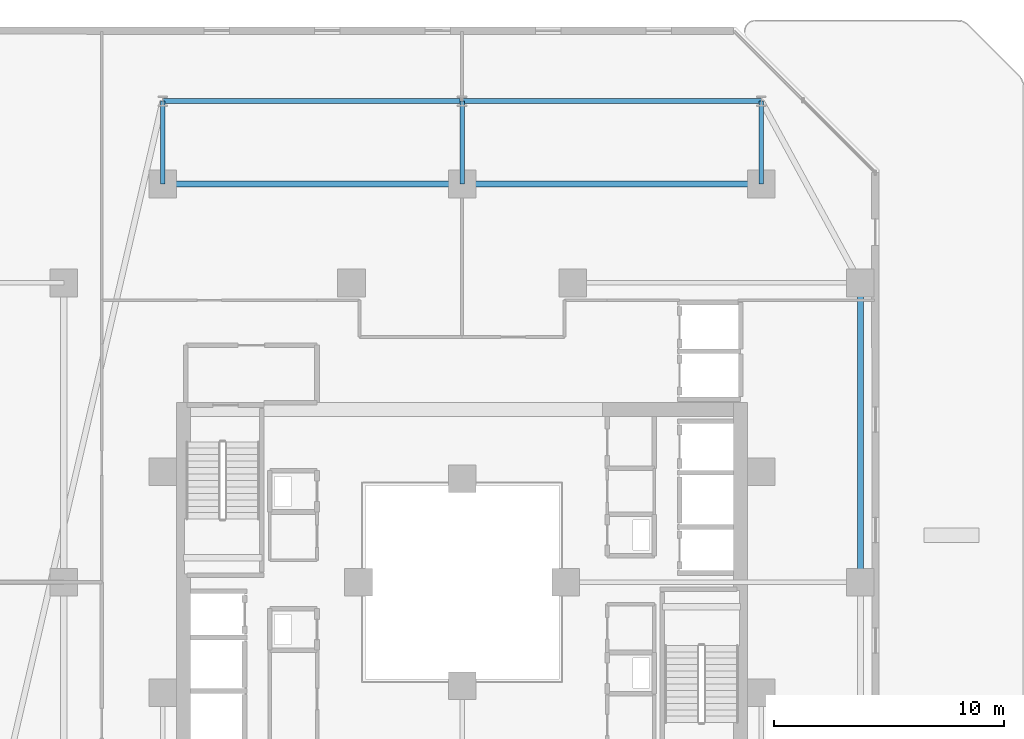
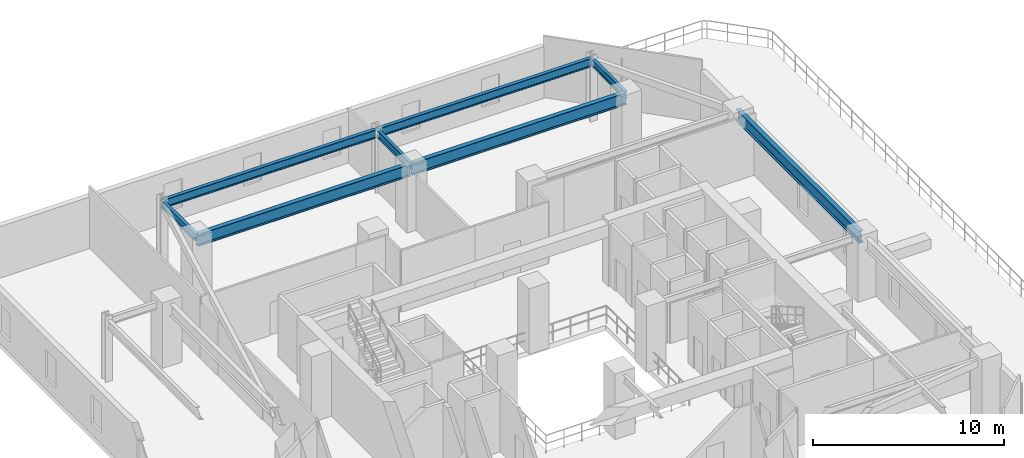
# One storey, part 13 of 30: 8 beams.
"""IFC4 building model written with IfcOpenShell, lengths in metres."""

from ifc_helpers import new_model, si_unit, direction, frame, origin, origin_2d, place, context, subcontext, project, spatial, i_section, extrude, material, material_profile, profile_set, type_object, element, save


model = new_model("IFC4")

# Units and contexts
model_context = context("Model", 3, precision=1e-05, world=origin(), true_north=direction((0.0, 1.0)))
body_context = subcontext(model_context, "Body", "Model", "MODEL_VIEW")
ifc_project = project(units=[si_unit("LENGTHUNIT", "METRE"), si_unit("AREAUNIT", "SQUARE_METRE"), si_unit("VOLUMEUNIT", "CUBIC_METRE"), si_unit("PLANEANGLEUNIT", "RADIAN"), si_unit("MASSUNIT", "GRAM", prefix="KILO")], contexts=[model_context])

# Site, building, storey
site_placement = place(None, origin())
site = spatial("IfcSite", under=ifc_project, at=site_placement, CompositionType="ELEMENT")
building_placement = place(site_placement, origin())
building = spatial("IfcBuilding", under=site, at=building_placement, Name="Thornwick Lancets Civic Towers", CompositionType="ELEMENT")
storey_placement = place(building_placement, frame((0.0, 0.0, 75.89990234375)))
storey = spatial("IfcBuildingStorey", under=building, at=storey_placement, Name="L19", CompositionType="ELEMENT", Elevation=75.89990234375)

# Beams
ifc_material = material(Name="Steel S355JR", Category="steel")
ifc_material_profile_1 = material_profile(ifc_material, i_section(OverallWidth=0.2119140625, OverallDepth=0.54443359375, WebThickness=0.0126953125, FlangeThickness=0.021240234375, FilletRadius=0.0126953125, at=origin_2d()), Name="UKB 533x210x122")
ifc_profile_set_1 = profile_set([ifc_material_profile_1], Name="Steel S355JR")
beam_type_1 = type_object("IfcBeamType", Name="BM_EDGE_533_122", PredefinedType="SPANDREL", material=ifc_profile_set_1)
beam_1_placement = place(storey_placement, frame((101.5, 47.89990234375, 3.687744140625), z_axis=(-1.0, 0.0, 0.0), x_axis=(0.0, -1.0, 0.0)))
element("IfcBeam", 1, at=beam_1_placement, inside=storey, type_object=beam_type_1, Name="BM-EDGE-L19-B-S1-1", PredefinedType="SPANDREL", context=body_context, shape_type="SweptSolid", body=[
    extrude(i_section(OverallWidth=0.2119140625, OverallDepth=0.54443359375, WebThickness=0.0126953125, FlangeThickness=0.021240234375, FilletRadius=0.0126953125, at=origin_2d()), origin(), (0.0, 0.0, 1.0), 13.0),
])
beam_2_placement = place(storey_placement, frame((88.419921875, 47.89990234375, 3.687744140625), z_axis=(-1.0, 0.0, 0.0), x_axis=(0.0, -1.0, 0.0)))
element("IfcBeam", 2, at=beam_2_placement, inside=storey, type_object=beam_type_1, Name="BM-EDGE-L19-B-S1-2", PredefinedType="SPANDREL", context=body_context, shape_type="SweptSolid", body=[
    extrude(i_section(OverallWidth=0.2119140625, OverallDepth=0.54443359375, WebThickness=0.0126953125, FlangeThickness=0.021240234375, FilletRadius=0.0126953125, at=origin_2d()), origin(), (0.0, 0.0, 1.0), 12.919921875),
])
ifc_material_profile_2 = material_profile(ifc_material, i_section(OverallWidth=0.26806640625, OverallDepth=0.769775390625, WebThickness=0.015625, FlangeThickness=0.025390625, FilletRadius=0.0166015625, at=origin_2d()), Name="UKB 762x267x197")
ifc_profile_set_2 = profile_set([ifc_material_profile_2], Name="Steel S355JR")
beam_type_2 = type_object("IfcBeamType", Name="BM_GIRD_762_197", PredefinedType="BEAM", material=ifc_profile_set_2)
beam_3_placement = place(storey_placement, frame((105.800048828125, 27.080078125, 3.5751953125), z_axis=(0.0, 1.0, 0.0), x_axis=(-1.0, 0.0, 0.0)))
element("IfcBeam", 3, at=beam_3_placement, inside=storey, type_object=beam_type_2, Name="BM-SPINE-L19-B-1-2", PredefinedType="BEAM", context=body_context, shape_type="SweptSolid", body=[
    extrude(i_section(OverallWidth=0.26806640625, OverallDepth=0.769775390625, WebThickness=0.015625, FlangeThickness=0.025390625, FilletRadius=0.0166015625, at=origin_2d()), origin(), (0.0, 0.0, 1.0), 12.919921875),
])
beam_4_placement = place(storey_placement, frame((101.5, 44.300048828125, 3.5751953125), z_axis=(-1.0, 0.0, 0.0), x_axis=(0.0, -1.0, 0.0)))
element("IfcBeam", 4, at=beam_4_placement, inside=storey, type_object=beam_type_2, Name="BM-SPINE-L19-B-3-4", PredefinedType="BEAM", context=body_context, shape_type="SweptSolid", body=[
    extrude(i_section(OverallWidth=0.26806640625, OverallDepth=0.769775390625, WebThickness=0.015625, FlangeThickness=0.025390625, FilletRadius=0.0166015625, at=origin_2d()), origin(), (0.0, 0.0, 1.0), 13.0),
])
beam_5_placement = place(storey_placement, frame((88.419921875, 44.300048828125, 3.5751953125), z_axis=(-1.0, 0.0, 0.0), x_axis=(0.0, -1.0, 0.0)))
element("IfcBeam", 5, at=beam_5_placement, inside=storey, type_object=beam_type_2, Name="BM-SPINE-L19-B-4-5", PredefinedType="BEAM", context=body_context, shape_type="SweptSolid", body=[
    extrude(i_section(OverallWidth=0.26806640625, OverallDepth=0.769775390625, WebThickness=0.015625, FlangeThickness=0.025390625, FilletRadius=0.0166015625, at=origin_2d()), origin(), (0.0, 0.0, 1.0), 12.919921875),
])
ifc_material_profile_3 = material_profile(ifc_material, i_section(OverallWidth=0.19189453125, OverallDepth=0.46337890625, WebThickness=0.010498046875, FlangeThickness=0.017578125, FilletRadius=0.01025390625, at=origin_2d()), Name="UKB 457x191x89")
ifc_profile_set_3 = profile_set([ifc_material_profile_3], Name="Steel S355JR")
beam_type_3 = type_object("IfcBeamType", Name="BM_JOIST_457_89", PredefinedType="JOIST", material=ifc_profile_set_3)
for number, where, z_axis, x_axis, name in (
    (6, (101.5, 44.300048828125, 3.728515625), (0.0, 1.0, 0.0), (-1.0, 0.0, 0.0), "BM-RAD-L19-B04"),
    (7, (88.5, 44.300048828125, 3.728515625), (0.0, 1.0, 0.0), (-1.0, 0.0, 0.0), "BM-RAD-L19-B05"),
    (8, (75.5, 44.300048828125, 3.728515625), (0.0, 1.0, 0.0), (-1.0, 0.0, 0.0), "BM-RAD-L19-B06"),
):
    element("IfcBeam", number, at=place(storey_placement, frame(where, z_axis=z_axis, x_axis=x_axis)), inside=storey, type_object=beam_type_3, Name=name, PredefinedType="JOIST", context=body_context, shape_type="SweptSolid", body=[
        extrude(i_section(OverallWidth=0.19189453125, OverallDepth=0.46337890625, WebThickness=0.010498046875, FlangeThickness=0.017578125, FilletRadius=0.01025390625, at=origin_2d()), origin(), (0.0, 0.0, 1.0), 3.599853515625),
    ])

save(model, "model.ifc")
